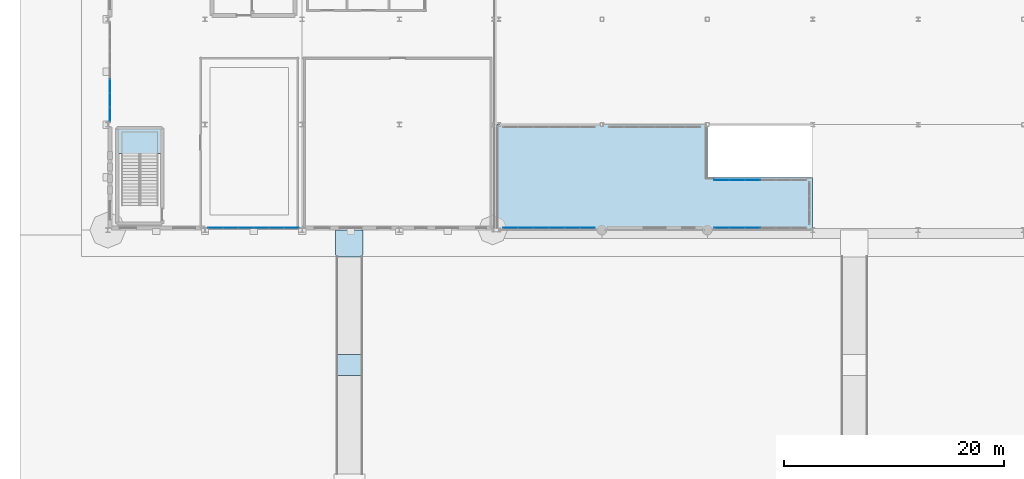
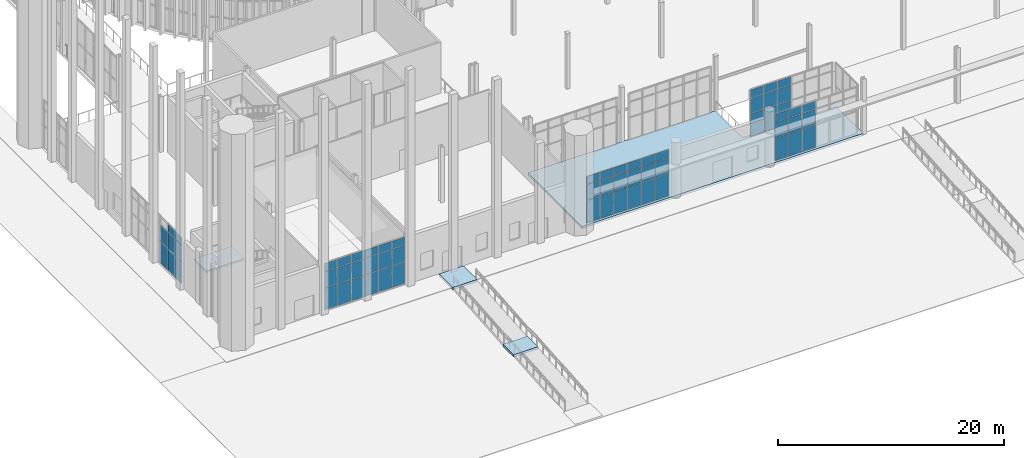
# One storey, part 68 of 139: 62 plates, 4 slabs, 7 elements without a shape of their own.
"""IFC4 building model written with IfcOpenShell, lengths in metres."""

from ifc_helpers import new_model, si_unit, direction, frame, origin, origin_2d, place, context, subcontext, project, spatial, polyline, rectangle, outline, extrude, material, layer, layer_set, type_object, element, aggregate, save


model = new_model("IFC4")

# Units and contexts
model_context = context("Model", 3, precision=1e-05, world=origin(), true_north=direction((0.0, 1.0)))
body_context = subcontext(model_context, "Body", "Model", "MODEL_VIEW")
ifc_project = project(units=[si_unit("LENGTHUNIT", "METRE"), si_unit("AREAUNIT", "SQUARE_METRE"), si_unit("VOLUMEUNIT", "CUBIC_METRE"), si_unit("PLANEANGLEUNIT", "RADIAN"), si_unit("MASSUNIT", "GRAM", prefix="KILO")], contexts=[model_context])

# Site, building, storey
site_placement = place(None, origin())
site = spatial("IfcSite", under=ifc_project, at=site_placement, CompositionType="ELEMENT")
building_placement = place(site_placement, origin())
building = spatial("IfcBuilding", under=site, at=building_placement, Name="Yeouljin Market Hall", CompositionType="ELEMENT")
storey_placement = place(building_placement, origin())
storey = spatial("IfcBuildingStorey", under=building, at=storey_placement, Name="L00", CompositionType="ELEMENT", Elevation=0.0)

# Curtain wall, plates
ifc_material_1 = material(Name="Thermally Broken Aluminium", Category="aluminium")
ifc_layer_1 = layer(ifc_material_1, 0.14990234375)
ifc_layer_set_1 = layer_set([ifc_layer_1], Name="Thermally Broken Aluminium")
curtain_wall_type_1 = type_object("IfcCurtainWallType", Name="CW_WingStorefront_System", PredefinedType="USERDEFINED", material=ifc_layer_set_1)
curtain_wall_1_placement = place(storey_placement, origin())
curtain_wall_1 = element("IfcCurtainWall", 1, at=curtain_wall_1_placement, inside=storey, type_object=curtain_wall_type_1, Name="Curtain wall CW-V2S-L00-3", ObjectType="CURTAIN WALL", PredefinedType="USERDEFINED")
ifc_material_2 = material(Name="Low-E Insulated Glass", Category="glass")
ifc_layer_2 = layer(ifc_material_2, 0.028076171875)
ifc_layer_set_2 = layer_set([ifc_layer_2], Name="Low-E Insulated Glass")
plate_type = type_object("IfcPlateType", Name="CWPanel_LowE_28", PredefinedType="CURTAIN_PANEL", material=ifc_layer_set_2)
plate_1_placement = place(storey_placement, frame((16.7421875, 0.199951171875, 0.0478515625), z_axis=(0.0, 0.0, 1.0), x_axis=(-1.0, 0.0, 0.0)))
plate_1 = element("IfcPlate", 2, at=plate_1_placement, type_object=plate_type, Name="CW-04 panel 1.1", PredefinedType="CURTAIN_PANEL", context=body_context, shape_type="SweptSolid", body=[
    extrude(rectangle(XDim=1.319580078125, YDim=0.028076171875, at=origin_2d()), origin(), (0.0, 0.0, 1.0), 2.327880859375),
])
plate_2_placement = place(storey_placement, frame((16.7421875, 0.199951171875, 2.424072265625), z_axis=(0.0, 0.0, 1.0), x_axis=(-1.0, 0.0, 0.0)))
plate_2 = element("IfcPlate", 3, at=plate_2_placement, type_object=plate_type, Name="CW-04 panel 1.2", PredefinedType="CURTAIN_PANEL", context=body_context, shape_type="SweptSolid", body=[
    extrude(rectangle(XDim=1.319580078125, YDim=0.028076171875, at=origin_2d()), origin(), (0.0, 0.0, 1.0), 1.751953125),
])
plate_3_placement = place(storey_placement, frame((16.7421875, 0.199951171875, 4.22412109375), z_axis=(0.0, 0.0, 1.0), x_axis=(-1.0, 0.0, 0.0)))
plate_3 = element("IfcPlate", 4, at=plate_3_placement, type_object=plate_type, Name="CW-04 panel 1.3", PredefinedType="CURTAIN_PANEL", context=body_context, shape_type="SweptSolid", body=[
    extrude(rectangle(XDim=1.319580078125, YDim=0.028076171875, at=origin_2d()), origin(), (0.0, 0.0, 1.0), 0.847900390625),
])
plate_4_placement = place(storey_placement, frame((15.362548828125, 0.199951171875, 0.0478515625), z_axis=(0.0, 0.0, 1.0), x_axis=(-1.0, 0.0, 0.0)))
plate_4 = element("IfcPlate", 5, at=plate_4_placement, type_object=plate_type, Name="CW-04 panel 2.1", PredefinedType="CURTAIN_PANEL", context=body_context, shape_type="SweptSolid", body=[
    extrude(rectangle(XDim=1.34375, YDim=0.028076171875, at=origin_2d()), origin(), (0.0, 0.0, 1.0), 2.327880859375),
])
plate_5_placement = place(storey_placement, frame((15.362548828125, 0.199951171875, 2.424072265625), z_axis=(0.0, 0.0, 1.0), x_axis=(-1.0, 0.0, 0.0)))
plate_5 = element("IfcPlate", 6, at=plate_5_placement, type_object=plate_type, Name="CW-04 panel 2.2", PredefinedType="CURTAIN_PANEL", context=body_context, shape_type="SweptSolid", body=[
    extrude(rectangle(XDim=1.34375, YDim=0.028076171875, at=origin_2d()), origin(), (0.0, 0.0, 1.0), 1.751953125),
])
plate_6_placement = place(storey_placement, frame((15.362548828125, 0.199951171875, 4.22412109375), z_axis=(0.0, 0.0, 1.0), x_axis=(-1.0, 0.0, 0.0)))
plate_6 = element("IfcPlate", 7, at=plate_6_placement, type_object=plate_type, Name="CW-04 panel 2.3", PredefinedType="CURTAIN_PANEL", context=body_context, shape_type="SweptSolid", body=[
    extrude(rectangle(XDim=1.34375, YDim=0.028076171875, at=origin_2d()), origin(), (0.0, 0.0, 1.0), 0.847900390625),
])
plate_7_placement = place(storey_placement, frame((13.970947265625, 0.199951171875, 0.0478515625), z_axis=(0.0, 0.0, 1.0), x_axis=(-1.0, 0.0, 0.0)))
plate_7 = element("IfcPlate", 8, at=plate_7_placement, type_object=plate_type, Name="CW-04 panel 3.1", PredefinedType="CURTAIN_PANEL", context=body_context, shape_type="SweptSolid", body=[
    extrude(rectangle(XDim=1.34375, YDim=0.028076171875, at=origin_2d()), origin(), (0.0, 0.0, 1.0), 2.327880859375),
])
plate_8_placement = place(storey_placement, frame((13.970947265625, 0.199951171875, 2.424072265625), z_axis=(0.0, 0.0, 1.0), x_axis=(-1.0, 0.0, 0.0)))
plate_8 = element("IfcPlate", 9, at=plate_8_placement, type_object=plate_type, Name="CW-04 panel 3.2", PredefinedType="CURTAIN_PANEL", context=body_context, shape_type="SweptSolid", body=[
    extrude(rectangle(XDim=1.34375, YDim=0.028076171875, at=origin_2d()), origin(), (0.0, 0.0, 1.0), 1.751953125),
])
plate_9_placement = place(storey_placement, frame((13.970947265625, 0.199951171875, 4.22412109375), z_axis=(0.0, 0.0, 1.0), x_axis=(-1.0, 0.0, 0.0)))
plate_9 = element("IfcPlate", 10, at=plate_9_placement, type_object=plate_type, Name="CW-04 panel 3.3", PredefinedType="CURTAIN_PANEL", context=body_context, shape_type="SweptSolid", body=[
    extrude(rectangle(XDim=1.34375, YDim=0.028076171875, at=origin_2d()), origin(), (0.0, 0.0, 1.0), 0.847900390625),
])
plate_10_placement = place(storey_placement, frame((12.5791015625, 0.199951171875, 0.0478515625), z_axis=(0.0, 0.0, 1.0), x_axis=(-1.0, 0.0, 0.0)))
plate_10 = element("IfcPlate", 11, at=plate_10_placement, type_object=plate_type, Name="CW-04 panel 4.1", PredefinedType="CURTAIN_PANEL", context=body_context, shape_type="SweptSolid", body=[
    extrude(rectangle(XDim=1.34375, YDim=0.028076171875, at=origin_2d()), origin(), (0.0, 0.0, 1.0), 2.327880859375),
])
plate_11_placement = place(storey_placement, frame((12.5791015625, 0.199951171875, 2.424072265625), z_axis=(0.0, 0.0, 1.0), x_axis=(-1.0, 0.0, 0.0)))
plate_11 = element("IfcPlate", 12, at=plate_11_placement, type_object=plate_type, Name="CW-04 panel 4.2", PredefinedType="CURTAIN_PANEL", context=body_context, shape_type="SweptSolid", body=[
    extrude(rectangle(XDim=1.34375, YDim=0.028076171875, at=origin_2d()), origin(), (0.0, 0.0, 1.0), 1.751953125),
])
plate_12_placement = place(storey_placement, frame((12.5791015625, 0.199951171875, 4.22412109375), z_axis=(0.0, 0.0, 1.0), x_axis=(-1.0, 0.0, 0.0)))
plate_12 = element("IfcPlate", 13, at=plate_12_placement, type_object=plate_type, Name="CW-04 panel 4.3", PredefinedType="CURTAIN_PANEL", context=body_context, shape_type="SweptSolid", body=[
    extrude(rectangle(XDim=1.34375, YDim=0.028076171875, at=origin_2d()), origin(), (0.0, 0.0, 1.0), 0.847900390625),
])
plate_13_placement = place(storey_placement, frame((11.1875, 0.199951171875, 0.0478515625), z_axis=(0.0, 0.0, 1.0), x_axis=(-1.0, 0.0, 0.0)))
plate_13 = element("IfcPlate", 14, at=plate_13_placement, type_object=plate_type, Name="CW-04 panel 5.1", PredefinedType="CURTAIN_PANEL", context=body_context, shape_type="SweptSolid", body=[
    extrude(rectangle(XDim=1.34375, YDim=0.028076171875, at=origin_2d()), origin(), (0.0, 0.0, 1.0), 2.327880859375),
])
plate_14_placement = place(storey_placement, frame((11.1875, 0.199951171875, 2.424072265625), z_axis=(0.0, 0.0, 1.0), x_axis=(-1.0, 0.0, 0.0)))
plate_14 = element("IfcPlate", 15, at=plate_14_placement, type_object=plate_type, Name="CW-04 panel 5.2", PredefinedType="CURTAIN_PANEL", context=body_context, shape_type="SweptSolid", body=[
    extrude(rectangle(XDim=1.34375, YDim=0.028076171875, at=origin_2d()), origin(), (0.0, 0.0, 1.0), 1.751953125),
])
plate_15_placement = place(storey_placement, frame((11.1875, 0.199951171875, 4.22412109375), z_axis=(0.0, 0.0, 1.0), x_axis=(-1.0, 0.0, 0.0)))
plate_15 = element("IfcPlate", 16, at=plate_15_placement, type_object=plate_type, Name="CW-04 panel 5.3", PredefinedType="CURTAIN_PANEL", context=body_context, shape_type="SweptSolid", body=[
    extrude(rectangle(XDim=1.34375, YDim=0.028076171875, at=origin_2d()), origin(), (0.0, 0.0, 1.0), 0.847900390625),
])
plate_16_placement = place(storey_placement, frame((9.807861328125, 0.199951171875, 0.0478515625), z_axis=(0.0, 0.0, 1.0), x_axis=(-1.0, 0.0, 0.0)))
plate_16 = element("IfcPlate", 17, at=plate_16_placement, type_object=plate_type, Name="CW-04 panel 6.1", PredefinedType="CURTAIN_PANEL", context=body_context, shape_type="SweptSolid", body=[
    extrude(rectangle(XDim=1.319580078125, YDim=0.028076171875, at=origin_2d()), origin(), (0.0, 0.0, 1.0), 2.327880859375),
])
plate_17_placement = place(storey_placement, frame((9.807861328125, 0.199951171875, 2.424072265625), z_axis=(0.0, 0.0, 1.0), x_axis=(-1.0, 0.0, 0.0)))
plate_17 = element("IfcPlate", 18, at=plate_17_placement, type_object=plate_type, Name="CW-04 panel 6.2", PredefinedType="CURTAIN_PANEL", context=body_context, shape_type="SweptSolid", body=[
    extrude(rectangle(XDim=1.319580078125, YDim=0.028076171875, at=origin_2d()), origin(), (0.0, 0.0, 1.0), 1.751953125),
])
plate_18_placement = place(storey_placement, frame((9.807861328125, 0.199951171875, 4.22412109375), z_axis=(0.0, 0.0, 1.0), x_axis=(-1.0, 0.0, 0.0)))
plate_18 = element("IfcPlate", 19, at=plate_18_placement, type_object=plate_type, Name="CW-04 panel 6.3", PredefinedType="CURTAIN_PANEL", context=body_context, shape_type="SweptSolid", body=[
    extrude(rectangle(XDim=1.319580078125, YDim=0.028076171875, at=origin_2d()), origin(), (0.0, 0.0, 1.0), 0.847900390625),
])
aggregate(curtain_wall_1, [plate_1, plate_2, plate_3, plate_4, plate_5, plate_6, plate_7, plate_8, plate_9, plate_10, plate_11, plate_12, plate_13, plate_14, plate_15, plate_16, plate_17, plate_18])

curtain_wall_2_placement = place(storey_placement, origin())
curtain_wall_2 = element("IfcCurtainWall", 20, at=curtain_wall_2_placement, inside=storey, type_object=curtain_wall_type_1, Name="Curtain wall CW-V2W-L00-2", ObjectType="CURTAIN WALL", PredefinedType="USERDEFINED")
plate_19_placement = place(storey_placement, frame((0.199951171875, 10.554931640625, 0.0478515625), z_axis=(0.0, 0.0, 1.0), x_axis=(0.0, 1.0, 0.0)))
plate_19 = element("IfcPlate", 21, at=plate_19_placement, type_object=plate_type, Name="CW-04 panel 1.1", PredefinedType="CURTAIN_PANEL", context=body_context, shape_type="SweptSolid", body=[
    extrude(rectangle(XDim=1.213623046875, YDim=0.028076171875, at=origin_2d()), origin(), (0.0, 0.0, 1.0), 2.327880859375),
])
plate_20_placement = place(storey_placement, frame((0.199951171875, 10.554931640625, 2.424072265625), z_axis=(0.0, 0.0, 1.0), x_axis=(0.0, 1.0, 0.0)))
plate_20 = element("IfcPlate", 22, at=plate_20_placement, type_object=plate_type, Name="CW-04 panel 1.2", PredefinedType="CURTAIN_PANEL", context=body_context, shape_type="SweptSolid", body=[
    extrude(rectangle(XDim=1.213623046875, YDim=0.028076171875, at=origin_2d()), origin(), (0.0, 0.0, 1.0), 1.751953125),
])
plate_21_placement = place(storey_placement, frame((0.199951171875, 10.554931640625, 4.22412109375), z_axis=(0.0, 0.0, 1.0), x_axis=(0.0, 1.0, 0.0)))
plate_21 = element("IfcPlate", 23, at=plate_21_placement, type_object=plate_type, Name="CW-04 panel 1.3", PredefinedType="CURTAIN_PANEL", context=body_context, shape_type="SweptSolid", body=[
    extrude(rectangle(XDim=1.213623046875, YDim=0.028076171875, at=origin_2d()), origin(), (0.0, 0.0, 1.0), 0.847900390625),
])
plate_22_placement = place(storey_placement, frame((0.199951171875, 11.82861328125, 0.0478515625), z_axis=(0.0, 0.0, 1.0), x_axis=(0.0, 1.0, 0.0)))
plate_22 = element("IfcPlate", 24, at=plate_22_placement, type_object=plate_type, Name="CW-04 panel 2.1", PredefinedType="CURTAIN_PANEL", context=body_context, shape_type="SweptSolid", body=[
    extrude(rectangle(XDim=1.23779296875, YDim=0.028076171875, at=origin_2d()), origin(), (0.0, 0.0, 1.0), 2.327880859375),
])
plate_23_placement = place(storey_placement, frame((0.199951171875, 11.82861328125, 2.424072265625), z_axis=(0.0, 0.0, 1.0), x_axis=(0.0, 1.0, 0.0)))
plate_23 = element("IfcPlate", 25, at=plate_23_placement, type_object=plate_type, Name="CW-04 panel 2.2", PredefinedType="CURTAIN_PANEL", context=body_context, shape_type="SweptSolid", body=[
    extrude(rectangle(XDim=1.23779296875, YDim=0.028076171875, at=origin_2d()), origin(), (0.0, 0.0, 1.0), 1.751953125),
])
plate_24_placement = place(storey_placement, frame((0.199951171875, 11.82861328125, 4.22412109375), z_axis=(0.0, 0.0, 1.0), x_axis=(0.0, 1.0, 0.0)))
plate_24 = element("IfcPlate", 26, at=plate_24_placement, type_object=plate_type, Name="CW-04 panel 2.3", PredefinedType="CURTAIN_PANEL", context=body_context, shape_type="SweptSolid", body=[
    extrude(rectangle(XDim=1.23779296875, YDim=0.028076171875, at=origin_2d()), origin(), (0.0, 0.0, 1.0), 0.847900390625),
])
plate_25_placement = place(storey_placement, frame((0.199951171875, 13.1142578125, 0.0478515625), z_axis=(0.0, 0.0, 1.0), x_axis=(0.0, 1.0, 0.0)))
plate_25 = element("IfcPlate", 27, at=plate_25_placement, type_object=plate_type, Name="CW-04 panel 3.1", PredefinedType="CURTAIN_PANEL", context=body_context, shape_type="SweptSolid", body=[
    extrude(rectangle(XDim=1.23779296875, YDim=0.028076171875, at=origin_2d()), origin(), (0.0, 0.0, 1.0), 2.327880859375),
])
plate_26_placement = place(storey_placement, frame((0.199951171875, 13.1142578125, 2.424072265625), z_axis=(0.0, 0.0, 1.0), x_axis=(0.0, 1.0, 0.0)))
plate_26 = element("IfcPlate", 28, at=plate_26_placement, type_object=plate_type, Name="CW-04 panel 3.2", PredefinedType="CURTAIN_PANEL", context=body_context, shape_type="SweptSolid", body=[
    extrude(rectangle(XDim=1.23779296875, YDim=0.028076171875, at=origin_2d()), origin(), (0.0, 0.0, 1.0), 1.751953125),
])
aggregate(curtain_wall_2, [plate_19, plate_20, plate_21, plate_22, plate_23, plate_24, plate_25, plate_26])

ifc_material_3 = material(Name="Thermally Broken Aluminium", Category="aluminium")
ifc_layer_3 = layer(ifc_material_3, 0.14990234375)
ifc_layer_set_3 = layer_set([ifc_layer_3], Name="Thermally Broken Aluminium")
curtain_wall_type_2 = type_object("IfcCurtainWallType", Name="CW_ColonnadeScreen_System", PredefinedType="USERDEFINED", material=ifc_layer_set_3)
curtain_wall_3_placement = place(storey_placement, origin())
curtain_wall_3 = element("IfcCurtainWall", 29, at=curtain_wall_3_placement, inside=storey, type_object=curtain_wall_type_2, Name="Curtain wall CW-V5S-L00-1", ObjectType="CURTAIN WALL", PredefinedType="USERDEFINED")
plate_27_placement = place(storey_placement, frame((43.683837890625, 0.199951171875, 0.0478515625), z_axis=(0.0, 0.0, 1.0), x_axis=(-1.0, 0.0, 0.0)))
plate_27 = element("IfcPlate", 30, at=plate_27_placement, type_object=plate_type, Name="CW-06 panel 1.1", PredefinedType="CURTAIN_PANEL", context=body_context, shape_type="SweptSolid", body=[
    extrude(rectangle(XDim=1.33642578125, YDim=0.028076171875, at=origin_2d()), origin(), (0.0, 0.0, 1.0), 2.427978515625),
])
plate_28_placement = place(storey_placement, frame((43.683837890625, 0.199951171875, 2.52392578125), z_axis=(0.0, 0.0, 1.0), x_axis=(-1.0, 0.0, 0.0)))
plate_28 = element("IfcPlate", 31, at=plate_28_placement, type_object=plate_type, Name="CW-06 panel 1.2", PredefinedType="CURTAIN_PANEL", context=body_context, shape_type="SweptSolid", body=[
    extrude(rectangle(XDim=1.33642578125, YDim=0.028076171875, at=origin_2d()), origin(), (0.0, 0.0, 1.0), 1.652099609375),
])
plate_29_placement = place(storey_placement, frame((43.683837890625, 0.199951171875, 4.22412109375), z_axis=(0.0, 0.0, 1.0), x_axis=(-1.0, 0.0, 0.0)))
plate_29 = element("IfcPlate", 32, at=plate_29_placement, type_object=plate_type, Name="CW-06 panel 1.3", PredefinedType="CURTAIN_PANEL", context=body_context, shape_type="SweptSolid", body=[
    extrude(rectangle(XDim=1.33642578125, YDim=0.028076171875, at=origin_2d()), origin(), (0.0, 0.0, 1.0), 0.847900390625),
])
plate_30_placement = place(storey_placement, frame((42.28759765625, 0.199951171875, 0.0478515625), z_axis=(0.0, 0.0, 1.0), x_axis=(-1.0, 0.0, 0.0)))
plate_30 = element("IfcPlate", 33, at=plate_30_placement, type_object=plate_type, Name="CW-06 panel 2.1", PredefinedType="CURTAIN_PANEL", context=body_context, shape_type="SweptSolid", body=[
    extrude(rectangle(XDim=1.3603515625, YDim=0.028076171875, at=origin_2d()), origin(), (0.0, 0.0, 1.0), 2.427978515625),
])
plate_31_placement = place(storey_placement, frame((42.28759765625, 0.199951171875, 2.52392578125), z_axis=(0.0, 0.0, 1.0), x_axis=(-1.0, 0.0, 0.0)))
plate_31 = element("IfcPlate", 34, at=plate_31_placement, type_object=plate_type, Name="CW-06 panel 2.2", PredefinedType="CURTAIN_PANEL", context=body_context, shape_type="SweptSolid", body=[
    extrude(rectangle(XDim=1.3603515625, YDim=0.028076171875, at=origin_2d()), origin(), (0.0, 0.0, 1.0), 1.652099609375),
])
plate_32_placement = place(storey_placement, frame((42.28759765625, 0.199951171875, 4.22412109375), z_axis=(0.0, 0.0, 1.0), x_axis=(-1.0, 0.0, 0.0)))
plate_32 = element("IfcPlate", 35, at=plate_32_placement, type_object=plate_type, Name="CW-06 panel 2.3", PredefinedType="CURTAIN_PANEL", context=body_context, shape_type="SweptSolid", body=[
    extrude(rectangle(XDim=1.3603515625, YDim=0.028076171875, at=origin_2d()), origin(), (0.0, 0.0, 1.0), 0.847900390625),
])
plate_33_placement = place(storey_placement, frame((40.879150390625, 0.199951171875, 0.0478515625), z_axis=(0.0, 0.0, 1.0), x_axis=(-1.0, 0.0, 0.0)))
plate_33 = element("IfcPlate", 36, at=plate_33_placement, type_object=plate_type, Name="CW-06 panel 3.1", PredefinedType="CURTAIN_PANEL", context=body_context, shape_type="SweptSolid", body=[
    extrude(rectangle(XDim=1.3603515625, YDim=0.028076171875, at=origin_2d()), origin(), (0.0, 0.0, 1.0), 2.427978515625),
])
plate_34_placement = place(storey_placement, frame((40.879150390625, 0.199951171875, 2.52392578125), z_axis=(0.0, 0.0, 1.0), x_axis=(-1.0, 0.0, 0.0)))
plate_34 = element("IfcPlate", 37, at=plate_34_placement, type_object=plate_type, Name="CW-06 panel 3.2", PredefinedType="CURTAIN_PANEL", context=body_context, shape_type="SweptSolid", body=[
    extrude(rectangle(XDim=1.3603515625, YDim=0.028076171875, at=origin_2d()), origin(), (0.0, 0.0, 1.0), 1.652099609375),
])
plate_35_placement = place(storey_placement, frame((40.879150390625, 0.199951171875, 4.22412109375), z_axis=(0.0, 0.0, 1.0), x_axis=(-1.0, 0.0, 0.0)))
plate_35 = element("IfcPlate", 38, at=plate_35_placement, type_object=plate_type, Name="CW-06 panel 3.3", PredefinedType="CURTAIN_PANEL", context=body_context, shape_type="SweptSolid", body=[
    extrude(rectangle(XDim=1.3603515625, YDim=0.028076171875, at=origin_2d()), origin(), (0.0, 0.0, 1.0), 0.847900390625),
])
plate_36_placement = place(storey_placement, frame((39.470947265625, 0.199951171875, 0.0478515625), z_axis=(0.0, 0.0, 1.0), x_axis=(-1.0, 0.0, 0.0)))
plate_36 = element("IfcPlate", 39, at=plate_36_placement, type_object=plate_type, Name="CW-06 panel 4.1", PredefinedType="CURTAIN_PANEL", context=body_context, shape_type="SweptSolid", body=[
    extrude(rectangle(XDim=1.3603515625, YDim=0.028076171875, at=origin_2d()), origin(), (0.0, 0.0, 1.0), 2.427978515625),
])
plate_37_placement = place(storey_placement, frame((39.470947265625, 0.199951171875, 2.52392578125), z_axis=(0.0, 0.0, 1.0), x_axis=(-1.0, 0.0, 0.0)))
plate_37 = element("IfcPlate", 40, at=plate_37_placement, type_object=plate_type, Name="CW-06 panel 4.2", PredefinedType="CURTAIN_PANEL", context=body_context, shape_type="SweptSolid", body=[
    extrude(rectangle(XDim=1.3603515625, YDim=0.028076171875, at=origin_2d()), origin(), (0.0, 0.0, 1.0), 1.652099609375),
])
plate_38_placement = place(storey_placement, frame((39.470947265625, 0.199951171875, 4.22412109375), z_axis=(0.0, 0.0, 1.0), x_axis=(-1.0, 0.0, 0.0)))
plate_38 = element("IfcPlate", 41, at=plate_38_placement, type_object=plate_type, Name="CW-06 panel 4.3", PredefinedType="CURTAIN_PANEL", context=body_context, shape_type="SweptSolid", body=[
    extrude(rectangle(XDim=1.3603515625, YDim=0.028076171875, at=origin_2d()), origin(), (0.0, 0.0, 1.0), 0.847900390625),
])
plate_39_placement = place(storey_placement, frame((38.0625, 0.199951171875, 0.0478515625), z_axis=(0.0, 0.0, 1.0), x_axis=(-1.0, 0.0, 0.0)))
plate_39 = element("IfcPlate", 42, at=plate_39_placement, type_object=plate_type, Name="CW-06 panel 5.1", PredefinedType="CURTAIN_PANEL", context=body_context, shape_type="SweptSolid", body=[
    extrude(rectangle(XDim=1.3603515625, YDim=0.028076171875, at=origin_2d()), origin(), (0.0, 0.0, 1.0), 2.427978515625),
])
plate_40_placement = place(storey_placement, frame((38.0625, 0.199951171875, 2.52392578125), z_axis=(0.0, 0.0, 1.0), x_axis=(-1.0, 0.0, 0.0)))
plate_40 = element("IfcPlate", 43, at=plate_40_placement, type_object=plate_type, Name="CW-06 panel 5.2", PredefinedType="CURTAIN_PANEL", context=body_context, shape_type="SweptSolid", body=[
    extrude(rectangle(XDim=1.3603515625, YDim=0.028076171875, at=origin_2d()), origin(), (0.0, 0.0, 1.0), 1.652099609375),
])
plate_41_placement = place(storey_placement, frame((38.0625, 0.199951171875, 4.22412109375), z_axis=(0.0, 0.0, 1.0), x_axis=(-1.0, 0.0, 0.0)))
plate_41 = element("IfcPlate", 44, at=plate_41_placement, type_object=plate_type, Name="CW-06 panel 5.3", PredefinedType="CURTAIN_PANEL", context=body_context, shape_type="SweptSolid", body=[
    extrude(rectangle(XDim=1.3603515625, YDim=0.028076171875, at=origin_2d()), origin(), (0.0, 0.0, 1.0), 0.847900390625),
])
plate_42_placement = place(storey_placement, frame((36.666259765625, 0.199951171875, 0.0478515625), z_axis=(0.0, 0.0, 1.0), x_axis=(-1.0, 0.0, 0.0)))
plate_42 = element("IfcPlate", 45, at=plate_42_placement, type_object=plate_type, Name="CW-06 panel 6.1", PredefinedType="CURTAIN_PANEL", context=body_context, shape_type="SweptSolid", body=[
    extrude(rectangle(XDim=1.33642578125, YDim=0.028076171875, at=origin_2d()), origin(), (0.0, 0.0, 1.0), 2.427978515625),
])
plate_43_placement = place(storey_placement, frame((36.666259765625, 0.199951171875, 2.52392578125), z_axis=(0.0, 0.0, 1.0), x_axis=(-1.0, 0.0, 0.0)))
plate_43 = element("IfcPlate", 46, at=plate_43_placement, type_object=plate_type, Name="CW-06 panel 6.2", PredefinedType="CURTAIN_PANEL", context=body_context, shape_type="SweptSolid", body=[
    extrude(rectangle(XDim=1.33642578125, YDim=0.028076171875, at=origin_2d()), origin(), (0.0, 0.0, 1.0), 1.652099609375),
])
plate_44_placement = place(storey_placement, frame((36.666259765625, 0.199951171875, 4.22412109375), z_axis=(0.0, 0.0, 1.0), x_axis=(-1.0, 0.0, 0.0)))
plate_44 = element("IfcPlate", 47, at=plate_44_placement, type_object=plate_type, Name="CW-06 panel 6.3", PredefinedType="CURTAIN_PANEL", context=body_context, shape_type="SweptSolid", body=[
    extrude(rectangle(XDim=1.33642578125, YDim=0.028076171875, at=origin_2d()), origin(), (0.0, 0.0, 1.0), 0.847900390625),
])
aggregate(curtain_wall_3, [plate_27, plate_28, plate_29, plate_30, plate_31, plate_32, plate_33, plate_34, plate_35, plate_36, plate_37, plate_38, plate_39, plate_40, plate_41, plate_42, plate_43, plate_44])

curtain_wall_4_placement = place(storey_placement, origin())
curtain_wall_4 = element("IfcCurtainWall", 48, at=curtain_wall_4_placement, inside=storey, type_object=curtain_wall_type_2, Name="Curtain wall CW-V5S-L00-3", ObjectType="CURTAIN WALL", PredefinedType="USERDEFINED")
plate_45_placement = place(storey_placement, frame((58.720947265625, 0.199951171875, 0.0478515625), z_axis=(0.0, 0.0, 1.0), x_axis=(-1.0, 0.0, 0.0)))
plate_45 = element("IfcPlate", 49, at=plate_45_placement, type_object=plate_type, Name="CW-06 panel 4.1", PredefinedType="CURTAIN_PANEL", context=body_context, shape_type="SweptSolid", body=[
    extrude(rectangle(XDim=1.3603515625, YDim=0.028076171875, at=origin_2d()), origin(), (0.0, 0.0, 1.0), 2.427978515625),
])
plate_46_placement = place(storey_placement, frame((58.720947265625, 0.199951171875, 2.52392578125), z_axis=(0.0, 0.0, 1.0), x_axis=(-1.0, 0.0, 0.0)))
plate_46 = element("IfcPlate", 50, at=plate_46_placement, type_object=plate_type, Name="CW-06 panel 4.2", PredefinedType="CURTAIN_PANEL", context=body_context, shape_type="SweptSolid", body=[
    extrude(rectangle(XDim=1.3603515625, YDim=0.028076171875, at=origin_2d()), origin(), (0.0, 0.0, 1.0), 1.652099609375),
])
plate_47_placement = place(storey_placement, frame((58.720947265625, 0.199951171875, 4.22412109375), z_axis=(0.0, 0.0, 1.0), x_axis=(-1.0, 0.0, 0.0)))
plate_47 = element("IfcPlate", 51, at=plate_47_placement, type_object=plate_type, Name="CW-06 panel 4.3", PredefinedType="CURTAIN_PANEL", context=body_context, shape_type="SweptSolid", body=[
    extrude(rectangle(XDim=1.3603515625, YDim=0.028076171875, at=origin_2d()), origin(), (0.0, 0.0, 1.0), 0.847900390625),
])
plate_48_placement = place(storey_placement, frame((57.3125, 0.199951171875, 0.0478515625), z_axis=(0.0, 0.0, 1.0), x_axis=(-1.0, 0.0, 0.0)))
plate_48 = element("IfcPlate", 52, at=plate_48_placement, type_object=plate_type, Name="CW-06 panel 5.1", PredefinedType="CURTAIN_PANEL", context=body_context, shape_type="SweptSolid", body=[
    extrude(rectangle(XDim=1.3603515625, YDim=0.028076171875, at=origin_2d()), origin(), (0.0, 0.0, 1.0), 2.427978515625),
])
plate_49_placement = place(storey_placement, frame((57.3125, 0.199951171875, 2.52392578125), z_axis=(0.0, 0.0, 1.0), x_axis=(-1.0, 0.0, 0.0)))
plate_49 = element("IfcPlate", 53, at=plate_49_placement, type_object=plate_type, Name="CW-06 panel 5.2", PredefinedType="CURTAIN_PANEL", context=body_context, shape_type="SweptSolid", body=[
    extrude(rectangle(XDim=1.3603515625, YDim=0.028076171875, at=origin_2d()), origin(), (0.0, 0.0, 1.0), 1.652099609375),
])
plate_50_placement = place(storey_placement, frame((57.3125, 0.199951171875, 4.22412109375), z_axis=(0.0, 0.0, 1.0), x_axis=(-1.0, 0.0, 0.0)))
plate_50 = element("IfcPlate", 54, at=plate_50_placement, type_object=plate_type, Name="CW-06 panel 5.3", PredefinedType="CURTAIN_PANEL", context=body_context, shape_type="SweptSolid", body=[
    extrude(rectangle(XDim=1.3603515625, YDim=0.028076171875, at=origin_2d()), origin(), (0.0, 0.0, 1.0), 0.847900390625),
])
plate_51_placement = place(storey_placement, frame((55.916259765625, 0.199951171875, 0.0478515625), z_axis=(0.0, 0.0, 1.0), x_axis=(-1.0, 0.0, 0.0)))
plate_51 = element("IfcPlate", 55, at=plate_51_placement, type_object=plate_type, Name="CW-06 panel 6.1", PredefinedType="CURTAIN_PANEL", context=body_context, shape_type="SweptSolid", body=[
    extrude(rectangle(XDim=1.33642578125, YDim=0.028076171875, at=origin_2d()), origin(), (0.0, 0.0, 1.0), 2.427978515625),
])
plate_52_placement = place(storey_placement, frame((55.916259765625, 0.199951171875, 2.52392578125), z_axis=(0.0, 0.0, 1.0), x_axis=(-1.0, 0.0, 0.0)))
plate_52 = element("IfcPlate", 56, at=plate_52_placement, type_object=plate_type, Name="CW-06 panel 6.2", PredefinedType="CURTAIN_PANEL", context=body_context, shape_type="SweptSolid", body=[
    extrude(rectangle(XDim=1.33642578125, YDim=0.028076171875, at=origin_2d()), origin(), (0.0, 0.0, 1.0), 1.652099609375),
])
plate_53_placement = place(storey_placement, frame((55.916259765625, 0.199951171875, 4.22412109375), z_axis=(0.0, 0.0, 1.0), x_axis=(-1.0, 0.0, 0.0)))
plate_53 = element("IfcPlate", 57, at=plate_53_placement, type_object=plate_type, Name="CW-06 panel 6.3", PredefinedType="CURTAIN_PANEL", context=body_context, shape_type="SweptSolid", body=[
    extrude(rectangle(XDim=1.33642578125, YDim=0.028076171875, at=origin_2d()), origin(), (0.0, 0.0, 1.0), 0.847900390625),
])
aggregate(curtain_wall_4, [plate_45, plate_46, plate_47, plate_48, plate_49, plate_50, plate_51, plate_52, plate_53])

curtain_wall_5_placement = place(storey_placement, origin())
curtain_wall_5 = element("IfcCurtainWall", 58, at=curtain_wall_5_placement, inside=storey, type_object=curtain_wall_type_2, Name="Curtain wall CW-V5N-L00-3", ObjectType="CURTAIN WALL", PredefinedType="USERDEFINED")
plate_54_placement = place(storey_placement, frame((55.916259765625, 4.550048828125, 0.0478515625), z_axis=(0.0, 0.0, 1.0), x_axis=(1.0, 0.0, 0.0)))
plate_54 = element("IfcPlate", 59, at=plate_54_placement, type_object=plate_type, Name="CW-06 panel 1.1", PredefinedType="CURTAIN_PANEL", context=body_context, shape_type="SweptSolid", body=[
    extrude(rectangle(XDim=1.33642578125, YDim=0.028076171875, at=origin_2d()), origin(), (0.0, 0.0, 1.0), 2.427978515625),
])
plate_55_placement = place(storey_placement, frame((55.916259765625, 4.550048828125, 2.52392578125), z_axis=(0.0, 0.0, 1.0), x_axis=(1.0, 0.0, 0.0)))
plate_55 = element("IfcPlate", 60, at=plate_55_placement, type_object=plate_type, Name="CW-06 panel 1.2", PredefinedType="CURTAIN_PANEL", context=body_context, shape_type="SweptSolid", body=[
    extrude(rectangle(XDim=1.33642578125, YDim=0.028076171875, at=origin_2d()), origin(), (0.0, 0.0, 1.0), 1.652099609375),
])
plate_56_placement = place(storey_placement, frame((55.916259765625, 4.550048828125, 4.22412109375), z_axis=(0.0, 0.0, 1.0), x_axis=(1.0, 0.0, 0.0)))
plate_56 = element("IfcPlate", 61, at=plate_56_placement, type_object=plate_type, Name="CW-06 panel 1.3", PredefinedType="CURTAIN_PANEL", context=body_context, shape_type="SweptSolid", body=[
    extrude(rectangle(XDim=1.33642578125, YDim=0.028076171875, at=origin_2d()), origin(), (0.0, 0.0, 1.0), 0.847900390625),
])
plate_57_placement = place(storey_placement, frame((57.3125, 4.550048828125, 0.0478515625), z_axis=(0.0, 0.0, 1.0), x_axis=(1.0, 0.0, 0.0)))
plate_57 = element("IfcPlate", 62, at=plate_57_placement, type_object=plate_type, Name="CW-06 panel 2.1", PredefinedType="CURTAIN_PANEL", context=body_context, shape_type="SweptSolid", body=[
    extrude(rectangle(XDim=1.3603515625, YDim=0.028076171875, at=origin_2d()), origin(), (0.0, 0.0, 1.0), 2.427978515625),
])
plate_58_placement = place(storey_placement, frame((57.3125, 4.550048828125, 2.52392578125), z_axis=(0.0, 0.0, 1.0), x_axis=(1.0, 0.0, 0.0)))
plate_58 = element("IfcPlate", 63, at=plate_58_placement, type_object=plate_type, Name="CW-06 panel 2.2", PredefinedType="CURTAIN_PANEL", context=body_context, shape_type="SweptSolid", body=[
    extrude(rectangle(XDim=1.3603515625, YDim=0.028076171875, at=origin_2d()), origin(), (0.0, 0.0, 1.0), 1.652099609375),
])
plate_59_placement = place(storey_placement, frame((57.3125, 4.550048828125, 4.22412109375), z_axis=(0.0, 0.0, 1.0), x_axis=(1.0, 0.0, 0.0)))
plate_59 = element("IfcPlate", 64, at=plate_59_placement, type_object=plate_type, Name="CW-06 panel 2.3", PredefinedType="CURTAIN_PANEL", context=body_context, shape_type="SweptSolid", body=[
    extrude(rectangle(XDim=1.3603515625, YDim=0.028076171875, at=origin_2d()), origin(), (0.0, 0.0, 1.0), 0.847900390625),
])
plate_60_placement = place(storey_placement, frame((58.720947265625, 4.550048828125, 0.0478515625), z_axis=(0.0, 0.0, 1.0), x_axis=(1.0, 0.0, 0.0)))
plate_60 = element("IfcPlate", 65, at=plate_60_placement, type_object=plate_type, Name="CW-06 panel 3.1", PredefinedType="CURTAIN_PANEL", context=body_context, shape_type="SweptSolid", body=[
    extrude(rectangle(XDim=1.3603515625, YDim=0.028076171875, at=origin_2d()), origin(), (0.0, 0.0, 1.0), 2.427978515625),
])
plate_61_placement = place(storey_placement, frame((58.720947265625, 4.550048828125, 2.52392578125), z_axis=(0.0, 0.0, 1.0), x_axis=(1.0, 0.0, 0.0)))
plate_61 = element("IfcPlate", 66, at=plate_61_placement, type_object=plate_type, Name="CW-06 panel 3.2", PredefinedType="CURTAIN_PANEL", context=body_context, shape_type="SweptSolid", body=[
    extrude(rectangle(XDim=1.3603515625, YDim=0.028076171875, at=origin_2d()), origin(), (0.0, 0.0, 1.0), 1.652099609375),
])
plate_62_placement = place(storey_placement, frame((58.720947265625, 4.550048828125, 4.22412109375), z_axis=(0.0, 0.0, 1.0), x_axis=(1.0, 0.0, 0.0)))
plate_62 = element("IfcPlate", 67, at=plate_62_placement, type_object=plate_type, Name="CW-06 panel 3.3", PredefinedType="CURTAIN_PANEL", context=body_context, shape_type="SweptSolid", body=[
    extrude(rectangle(XDim=1.3603515625, YDim=0.028076171875, at=origin_2d()), origin(), (0.0, 0.0, 1.0), 0.847900390625),
])
aggregate(curtain_wall_5, [plate_54, plate_55, plate_56, plate_57, plate_58, plate_59, plate_60, plate_61, plate_62])

# Slab
ifc_material_4 = material(Name="Concrete C30/37", Category="concrete")
ifc_layer_4 = layer(ifc_material_4, 0.239990234375)
ifc_layer_set_4 = layer_set([ifc_layer_4], Name="Concrete C30/37")
slab_type_1 = type_object("IfcSlabType", Name="SLB_COL_240", PredefinedType="FLOOR", material=ifc_layer_set_4)
slab_1_placement = place(storey_placement, frame((0.0, 0.0, -0.239990234375)))
element("IfcSlab", 68, at=slab_1_placement, inside=storey, type_object=slab_type_1, Name="Structural slab SLB-L00-SC1", PredefinedType="FLOOR", context=body_context, shape_type="SweptSolid", body=[
    extrude(outline(polyline([(35.39990234375, 0.0), (64.199951171875, 0.0), (64.199951171875, 4.800048828125), (54.60009765625, 4.800048828125), (54.60009765625, 9.60009765625), (35.39990234375, 9.60009765625), (35.39990234375, 0.0)])), origin(), (0.0, 0.0, 1.0), 0.239990234375),
])

# Ramp, slabs
ifc_material_5 = material(Name="Concrete C30/37", Category="concrete")
ramp_type = type_object("IfcRampType", Name="Ramp_Pedestrian_Granite", PredefinedType="STRAIGHT_RUN_RAMP", material=ifc_material_5)
ramp_placement = place(storey_placement, origin())
ramp = element("IfcRamp", 69, at=ramp_placement, inside=storey, type_object=ramp_type, Name="Boulevard plinth accessible pedestrian ramp 01", PredefinedType="STRAIGHT_RUN_RAMP")
slab_2_placement = place(storey_placement, frame((0.0, 0.0, -0.239990234375)))
slab_2 = element("IfcSlab", 70, at=slab_2_placement, type_object=slab_type_1, Name="Plinth pedestrian ramp 01 top landing", PredefinedType="LANDING", context=body_context, shape_type="SweptSolid", body=[
    extrude(outline(polyline([(20.75, -2.449951171875), (23.25, -2.449951171875), (23.25, 0.0), (20.75, 0.0), (20.75, -2.449951171875)])), origin(), (0.0, 0.0, 1.0), 0.239990234375),
])
slab_3_placement = place(storey_placement, frame((0.0, 0.0, -0.969970703125)))
slab_3 = element("IfcSlab", 71, at=slab_3_placement, type_object=slab_type_1, Name="Plinth pedestrian ramp 01 rest landing", PredefinedType="LANDING", context=body_context, shape_type="SweptSolid", body=[
    extrude(outline(polyline([(20.75, -13.25), (23.25, -13.25), (23.25, -11.35009765625), (20.75, -11.35009765625), (20.75, -13.25)])), origin(), (0.0, 0.0, 1.0), 0.25),
])
aggregate(ramp, [slab_2, slab_3])

# Stair, slab
ifc_material_6 = material(Name="Concrete C30/37", Category="concrete")
stair_type = type_object("IfcStairType", Name="Stair_Escape_Wing", PredefinedType="HALF_TURN_STAIR", material=ifc_material_6)
stair_placement = place(storey_placement, origin())
stair = element("IfcStair", 72, at=stair_placement, inside=storey, type_object=stair_type, Name="Enclosed exit stair ST-S7-L00", PredefinedType="HALF_TURN_STAIR")
ifc_material_7 = material(Name="Concrete C30/37", Category="concrete")
ifc_layer_5 = layer(ifc_material_7, 0.199951171875)
ifc_layer_set_5 = layer_set([ifc_layer_5], Name="Concrete C30/37")
slab_type_2 = type_object("IfcSlabType", Name="StairLanding_200", PredefinedType="LANDING", material=ifc_layer_set_5)
slab_4_placement = place(storey_placement, frame((0.0, 0.0, 2.800048828125)))
slab_4 = element("IfcSlab", 73, at=slab_4_placement, type_object=slab_type_2, Name="ST-S7-L00 landing 1", PredefinedType="LANDING", context=body_context, shape_type="SweptSolid", body=[
    extrude(outline(polyline([(0.969970703125, 6.969970703125), (4.830078125, 6.969970703125), (4.830078125, 9.179931640625), (0.969970703125, 9.179931640625), (0.969970703125, 6.969970703125)])), origin(), (0.0, 0.0, 1.0), 0.199951171875),
])
aggregate(stair, [slab_4])

save(model, "model.ifc")
